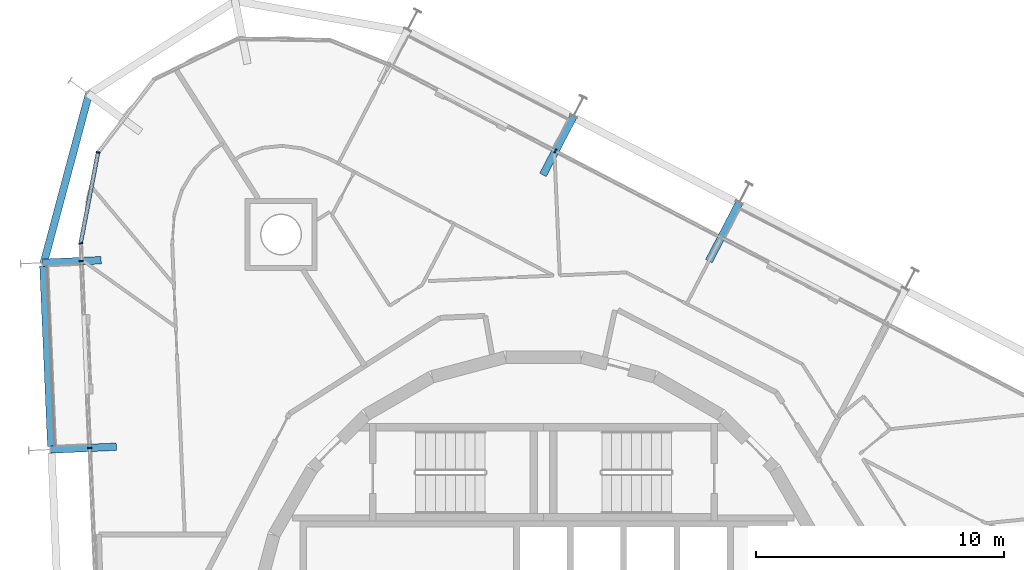
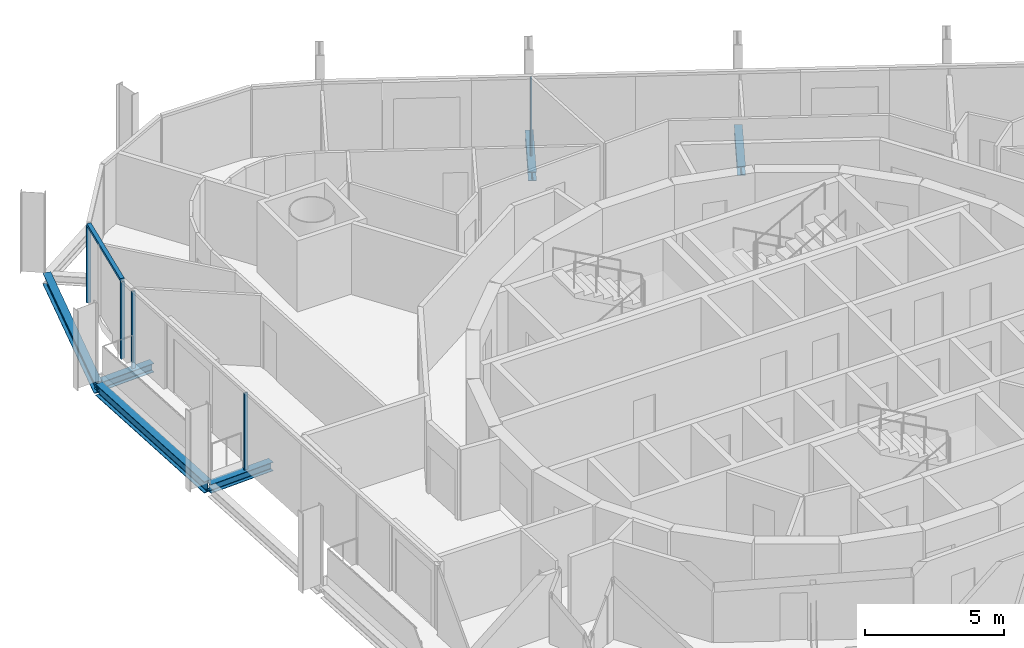
# One storey, part 6 of 18: 6 beams, 6 members, 3 elements without a shape of their own.
"""IFC4 building model written with IfcOpenShell, lengths in metres."""

from ifc_helpers import new_model, si_unit, direction, frame, origin, origin_2d, place, context, subcontext, project, spatial, rectangle, i_section, extrude, material, layer, layer_set, material_profile, profile_set, type_object, element, aggregate, save


model = new_model("IFC4")

# Units and contexts
model_context = context("Model", 3, precision=1e-05, world=origin(), true_north=direction((0.0, 1.0)))
body_context = subcontext(model_context, "Body", "Model", "MODEL_VIEW")
ifc_project = project(units=[si_unit("LENGTHUNIT", "METRE"), si_unit("AREAUNIT", "SQUARE_METRE"), si_unit("VOLUMEUNIT", "CUBIC_METRE"), si_unit("PLANEANGLEUNIT", "RADIAN"), si_unit("MASSUNIT", "GRAM", prefix="KILO")], contexts=[model_context])

# Site, building, storey
site_placement = place(None, origin())
site = spatial("IfcSite", under=ifc_project, at=site_placement, CompositionType="ELEMENT")
building_placement = place(site_placement, origin())
building = spatial("IfcBuilding", under=site, at=building_placement, Name="Spindle Arch Residences", CompositionType="ELEMENT")
storey_placement = place(building_placement, frame((0.0, 0.0, 247.699951171875)))
storey = spatial("IfcBuildingStorey", under=building, at=storey_placement, Name="L63", CompositionType="ELEMENT", Elevation=247.699951171875)

# Curtain wall, member
ifc_material_1 = material(Name="Aluminium bronze unitised frame with tinted glass", Category="aluminium")
ifc_layer_1 = layer(ifc_material_1, 0.159912109375)
ifc_layer_set_1 = layer_set([ifc_layer_1], Name="CW-C typical residential unitised wall")
curtain_wall_type_1 = type_object("IfcCurtainWallType", Name="CW-C typical residential unitised wall", PredefinedType="NOTDEFINED", material=ifc_layer_set_1)
curtain_wall_1_placement = place(storey_placement, origin())
curtain_wall_1 = element("IfcCurtainWall", 1, at=curtain_wall_1_placement, inside=storey, type_object=curtain_wall_type_1, Name="CW-C L63 run 2", PredefinedType="NOTDEFINED")
ifc_material_2 = material(Name="Aluminium bronze anodised mullion", Category="aluminium")
ifc_material_profile_1 = material_profile(ifc_material_2, rectangle(XDim=0.159912109375, YDim=0.06005859375, at=origin_2d()), Name="MU 60x160")
ifc_profile_set_1 = profile_set([ifc_material_profile_1], Name="Aluminium bronze anodised mullion")
member_type_1 = type_object("IfcMemberType", Name="Bronze mullion 60x160", PredefinedType="MULLION", material=ifc_profile_set_1)
member_1_placement = place(storey_placement, frame((0.4794921875, 19.94677734375, -0.3798828125), z_axis=(0.0, 0.0, 1.0), x_axis=(-0.461748613235, -0.887010833178, 0.0)))
member_1 = element("IfcMember", 2, at=member_1_placement, type_object=member_type_1, Name="CW-C mullion 08", PredefinedType="MULLION", context=body_context, shape_type="SweptSolid", body=[
    extrude(rectangle(XDim=0.159912109375, YDim=0.06005859375, at=origin_2d()), origin(), (0.0, 0.0, 1.0), 3.3798828125),
])
aggregate(curtain_wall_1, [member_1])

# Curtain wall, members
ifc_material_3 = material(Name="Aluminium bronze unitised frame with tinted glass", Category="aluminium")
ifc_layer_2 = layer(ifc_material_3, 0.159912109375)
ifc_layer_set_2 = layer_set([ifc_layer_2], Name="CW-D corner wall on the fillet arcs")
curtain_wall_type_2 = type_object("IfcCurtainWallType", Name="CW-D corner wall on the fillet arcs", PredefinedType="NOTDEFINED", material=ifc_layer_set_2)
curtain_wall_2_placement = place(storey_placement, origin())
curtain_wall_2 = element("IfcCurtainWall", 3, at=curtain_wall_2_placement, inside=storey, type_object=curtain_wall_type_2, Name="CW-D L63 run 3", PredefinedType="NOTDEFINED")
member_2_placement = place(storey_placement, frame((-17.93994140625, 19.896240234375, -0.3798828125), z_axis=(0.0, 0.0, 1.0), x_axis=(0.982178070104, -0.187952756314, 0.0)))
member_2 = element("IfcMember", 4, at=member_2_placement, type_object=member_type_1, Name="CW-D mullion 04", PredefinedType="MULLION", context=body_context, shape_type="SweptSolid", body=[
    extrude(rectangle(XDim=0.159912109375, YDim=0.06005859375, at=origin_2d()), origin(), (0.0, 0.0, 1.0), 3.3798828125),
])
member_3_placement = place(storey_placement, frame((-18.640380859375, 16.236083984375, -0.3798828125), z_axis=(0.0, 0.0, 1.0), x_axis=(0.999048221582, 0.043619387365, 0.0)))
member_3 = element("IfcMember", 5, at=member_3_placement, type_object=member_type_1, Name="CW-D mullion 05", PredefinedType="MULLION", context=body_context, shape_type="SweptSolid", body=[
    extrude(rectangle(XDim=0.159912109375, YDim=0.06005859375, at=origin_2d()), origin(), (0.0, 0.0, 1.0), 3.3798828125),
])

curtain_wall_3_placement = place(storey_placement, origin())
curtain_wall_3 = element("IfcCurtainWall", 6, at=curtain_wall_3_placement, inside=storey, type_object=curtain_wall_type_1, Name="CW-C L63 run 4", PredefinedType="NOTDEFINED")
member_4_placement = place(storey_placement, frame((-18.60888671875, 15.518310546875, -0.3798828125), z_axis=(0.0, 0.0, 1.0), x_axis=(0.999048221582, 0.043619387365, 0.0)))
member_4 = element("IfcMember", 7, at=member_4_placement, type_object=member_type_1, Name="CW-C mullion 12", PredefinedType="MULLION", context=body_context, shape_type="SweptSolid", body=[
    extrude(rectangle(XDim=0.159912109375, YDim=0.06005859375, at=origin_2d()), origin(), (0.0, 0.0, 1.0), 3.3798828125),
])
member_5_placement = place(storey_placement, frame((-18.280517578125, 7.995361328125, -0.3798828125), z_axis=(0.0, 0.0, 1.0), x_axis=(0.999048221582, 0.043619387365, 0.0)))
member_5 = element("IfcMember", 8, at=member_5_placement, type_object=member_type_1, Name="CW-C mullion 13", PredefinedType="MULLION", context=body_context, shape_type="SweptSolid", body=[
    extrude(rectangle(XDim=0.159912109375, YDim=0.06005859375, at=origin_2d()), origin(), (0.0, 0.0, 1.0), 3.3798828125),
])
aggregate(curtain_wall_3, [member_4, member_5])

# Member
ifc_material_4 = material(Name="Aluminium bronze anodised transom", Category="aluminium")
ifc_material_profile_2 = material_profile(ifc_material_4, rectangle(XDim=0.159912109375, YDim=0.1201171875, at=origin_2d()), Name="TR 120x160")
ifc_profile_set_2 = profile_set([ifc_material_profile_2], Name="Aluminium bronze anodised transom")
member_type_2 = type_object("IfcMemberType", Name="Bronze transom 120x160", PredefinedType="USERDEFINED", material=ifc_profile_set_2)
member_6_placement = place(storey_placement, frame((-17.945556640625, 19.866943359375, 3.06005859375), z_axis=(-0.187953386096, -0.982177949587, 0.0), x_axis=(0.982177949587, -0.187953386096, 0.0)))
member_6 = element("IfcMember", 9, at=member_6_placement, type_object=member_type_2, Name="CW-D transom 04", ObjectType="TRANSOM", PredefinedType="USERDEFINED", context=body_context, shape_type="SweptSolid", body=[
    extrude(rectangle(XDim=0.159912109375, YDim=0.1201171875, at=origin_2d()), origin(), (0.0, 0.0, 1.0), 3.6669921875),
])

aggregate(curtain_wall_2, [member_2, member_6, member_3])

# Beams
ifc_material_5 = material(Name="Steel S460ML, intumescent coating R 120", Category="steel")
ifc_material_profile_3 = material_profile(ifc_material_5, i_section(OverallWidth=0.300048828125, OverallDepth=0.5, WebThickness=0.014404296875, FlangeThickness=0.028076171875, FilletRadius=0.027099609375, at=origin_2d()), Name="HEB 500")
ifc_profile_set_3 = profile_set([ifc_material_profile_3], Name="Steel S460ML, intumescent coating R 120")
beam_type_1 = type_object("IfcBeamType", Name="Exoskeleton edge beam HEB 500", PredefinedType="BEAM", material=ifc_profile_set_3)
beam_1_placement = place(storey_placement, frame((-18.298583984375, 22.28076171875, -0.6298828125), z_axis=(-0.25832557076, -0.966057917255, 0.0), x_axis=(0.966057917255, -0.25832557076, 0.0)))
element("IfcBeam", 10, at=beam_1_placement, inside=storey, type_object=beam_type_1, Name="Exoskeleton edge beam 12", PredefinedType="BEAM", context=body_context, shape_type="SweptSolid", body=[
    extrude(i_section(OverallWidth=0.300048828125, OverallDepth=0.5, WebThickness=0.014404296875, FlangeThickness=0.028076171875, FilletRadius=0.027099609375, at=origin_2d()), origin(), (0.0, 0.0, 1.0), 7.105224609375),
])
beam_2_placement = place(storey_placement, frame((-20.141845703125, 15.3212890625, -0.6298828125), z_axis=(0.043622301665, -0.999048094337, 0.0), x_axis=(0.999048094337, 0.043622301665, 0.0)))
element("IfcBeam", 11, at=beam_2_placement, inside=storey, type_object=beam_type_1, Name="Exoskeleton edge beam 13", PredefinedType="BEAM", context=body_context, shape_type="SweptSolid", body=[
    extrude(i_section(OverallWidth=0.300048828125, OverallDepth=0.5, WebThickness=0.014404296875, FlangeThickness=0.028076171875, FilletRadius=0.027099609375, at=origin_2d()), origin(), (0.0, 0.0, 1.0), 7.27001953125),
])
ifc_material_6 = material(Name="Steel S460ML, intumescent coating R 120", Category="steel")
ifc_material_profile_4 = material_profile(ifc_material_6, i_section(OverallWidth=0.300048828125, OverallDepth=0.389892578125, WebThickness=0.010986328125, FlangeThickness=0.01904296875, FilletRadius=0.027099609375, at=origin_2d()), Name="HEA 400")
ifc_profile_set_4 = profile_set([ifc_material_profile_4], Name="Steel S460ML, intumescent coating R 120")
beam_type_2 = type_object("IfcBeamType", Name="Floor outrigger HEA 400", PredefinedType="BEAM", material=ifc_profile_set_4)
for number, where, z_axis, x_axis, name in (
    (12, (7.883544921875, 17.8623046875, -0.574951171875), (-0.461747195222, -0.887011571348, 0.0), (0.887011571348, -0.461747195222, 0.0), "Floor outrigger 8"),
    (13, (1.204345703125, 21.33935546875, -0.574951171875), (-0.461747195222, -0.887011571348, 0.0), (0.887011571348, -0.461747195222, 0.0), "Floor outrigger 9"),
):
    element("IfcBeam", number, at=place(storey_placement, frame(where, z_axis=z_axis, x_axis=x_axis)), inside=storey, type_object=beam_type_2, Name=name, PredefinedType="BEAM", context=body_context, shape_type="SweptSolid", body=[
        extrude(i_section(OverallWidth=0.300048828125, OverallDepth=0.389892578125, WebThickness=0.010986328125, FlangeThickness=0.01904296875, FilletRadius=0.027099609375, at=origin_2d()), origin(), (0.0, 0.0, 1.0), 2.64990234375),
    ])
beam_3_placement = place(storey_placement, frame((-20.177490234375, 15.44970703125, -0.574951171875), z_axis=(0.999047575201, 0.043634189397, 0.0), x_axis=(-0.043634189397, 0.999047575201, 0.0)))
element("IfcBeam", 14, at=beam_3_placement, inside=storey, type_object=beam_type_2, Name="Floor outrigger 13", PredefinedType="BEAM", context=body_context, shape_type="SweptSolid", body=[
    extrude(i_section(OverallWidth=0.300048828125, OverallDepth=0.389892578125, WebThickness=0.010986328125, FlangeThickness=0.01904296875, FilletRadius=0.027099609375, at=origin_2d()), origin(), (0.0, 0.0, 1.0), 2.36669921875),
])
beam_4_placement = place(storey_placement, frame((-19.84912109375, 7.9267578125, -0.574951171875), z_axis=(0.999046049411, 0.043669109869, 0.0), x_axis=(-0.043669109869, 0.999046049411, 0.0)))
element("IfcBeam", 15, at=beam_4_placement, inside=storey, type_object=beam_type_2, Name="Floor outrigger 14", PredefinedType="BEAM", context=body_context, shape_type="SweptSolid", body=[
    extrude(i_section(OverallWidth=0.300048828125, OverallDepth=0.389892578125, WebThickness=0.010986328125, FlangeThickness=0.01904296875, FilletRadius=0.027099609375, at=origin_2d()), origin(), (0.0, 0.0, 1.0), 2.64990234375),
])

save(model, "model.ifc")
